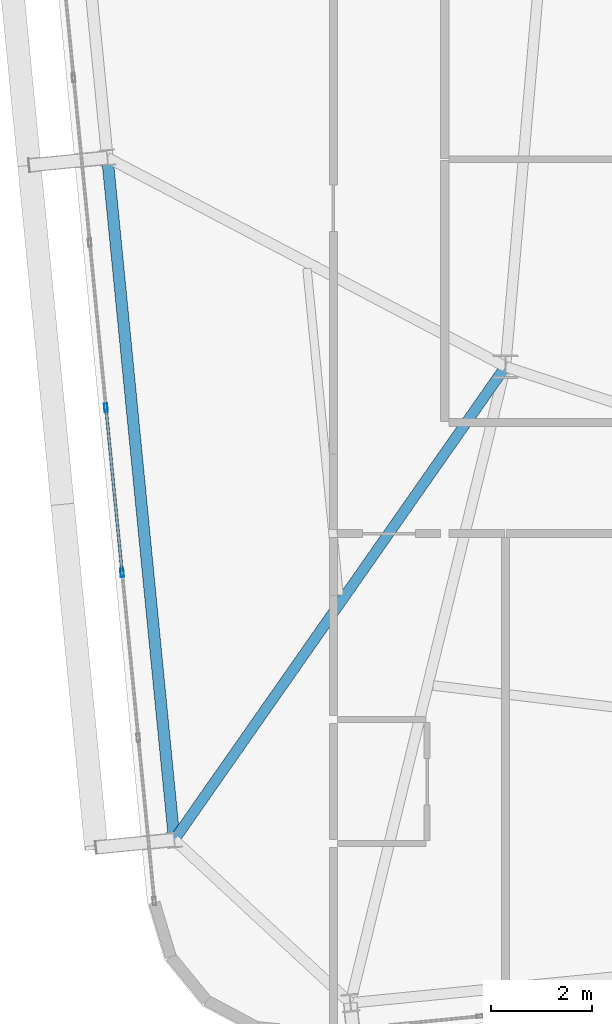
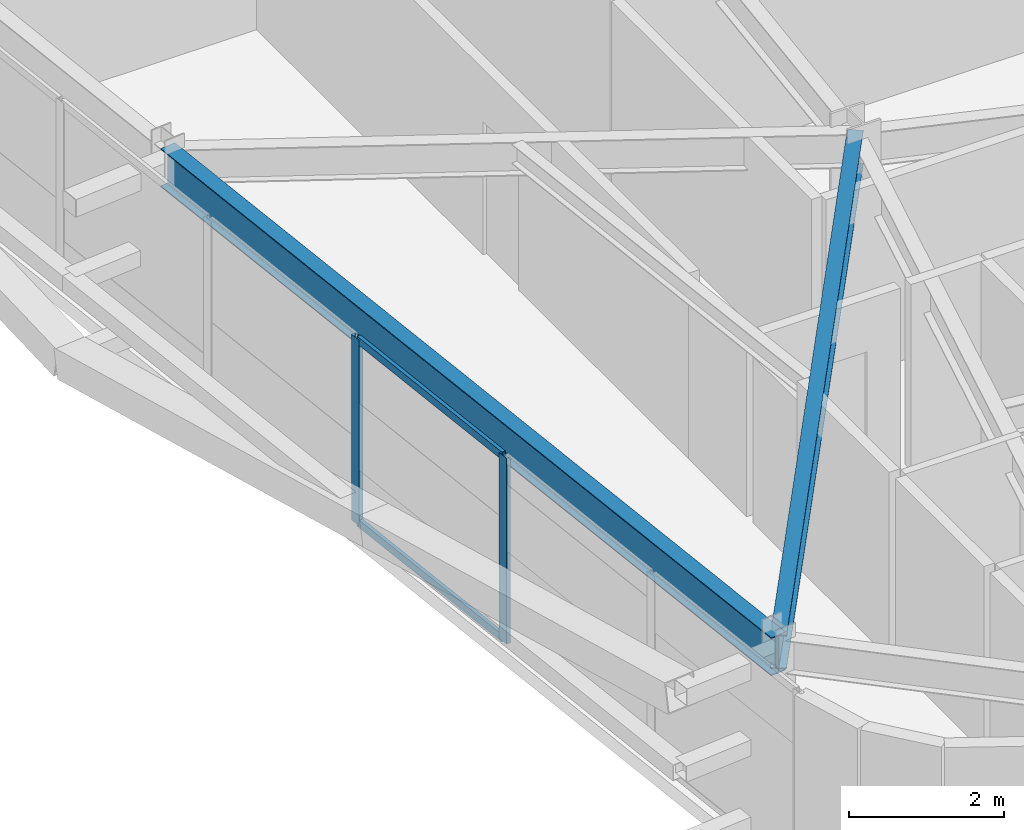
# One storey, part 8 of 52: 4 members, 2 beams, 1 element without a shape of its own.
"""IFC4 building model written with IfcOpenShell, lengths in metres."""

from ifc_helpers import new_model, si_unit, direction, frame, origin, origin_2d, place, context, subcontext, project, spatial, hollow_rectangle, i_section, extrude, source, transform, mapped, material, layer, layer_set, material_profile, profile_set, type_object, element, aggregate, save


model = new_model("IFC4")

# Units and contexts
model_context = context("Model", 3, precision=1e-05, world=origin(), true_north=direction((0.0, 1.0)))
body_context = subcontext(model_context, "Body", "Model", "MODEL_VIEW")
ifc_project = project(units=[si_unit("LENGTHUNIT", "METRE"), si_unit("AREAUNIT", "SQUARE_METRE"), si_unit("VOLUMEUNIT", "CUBIC_METRE"), si_unit("PLANEANGLEUNIT", "RADIAN"), si_unit("MASSUNIT", "GRAM", prefix="KILO")], contexts=[model_context])

# Site, building, storey
site_placement = place(None, origin())
site = spatial("IfcSite", under=ifc_project, at=site_placement, CompositionType="ELEMENT")
building_placement = place(site_placement, origin())
building = spatial("IfcBuilding", under=site, at=building_placement, Name="Taldren Reach Tower", CompositionType="ELEMENT")
storey_placement = place(building_placement, frame((0.0, 0.0, 77.699951171875)))
storey = spatial("IfcBuildingStorey", under=building, at=storey_placement, Name="L23", CompositionType="ELEMENT", Elevation=77.699951171875)

# Beams
ifc_material_1 = material(Name="Steel Gr 350 (350PLUS)", Category="steel")
ifc_material_profile_1 = material_profile(ifc_material_1, i_section(OverallWidth=0.22802734375, OverallDepth=0.60205078125, WebThickness=0.010498046875, FlangeThickness=0.014892578125, at=origin_2d()), Name="610UB101")
ifc_profile_set_1 = profile_set([ifc_material_profile_1], Name="Steel Gr 350 (350PLUS)")
beam_type_1 = type_object("IfcBeamType", Name="BM-UB610B", PredefinedType="BEAM", material=ifc_profile_set_1)
shared_shape_1 = source(origin(), body_context, "Body", "SweptSolid", [
    extrude(i_section(OverallWidth=0.22802734375, OverallDepth=0.60205078125, WebThickness=0.010498046875, FlangeThickness=0.014892578125, at=origin_2d()), origin(), (0.0, 0.0, 1.0), 13.550048828125),
])
beam_1_placement = place(storey_placement, frame((10.130615234375, 16.631103515625, 2.629150390625), z_axis=(0.097584021339, -0.995227290009, 0.0), x_axis=(0.995227290009, 0.097584021339, 0.0)))
element("IfcBeam", 1, at=beam_1_placement, inside=storey, type_object=beam_type_1, Name="Perimeter gable girder B2 W2-W1 L23", PredefinedType="BEAM", context=body_context, shape_type="MappedRepresentation", body=[
    mapped(shared_shape_1, transform((0.0, 0.0, 0.0), scale=1.0)),
])
ifc_material_profile_2 = material_profile(ifc_material_1, i_section(OverallWidth=0.208984375, OverallDepth=0.532958984375, WebThickness=0.01025390625, FlangeThickness=0.015625, at=origin_2d()), Name="530UB92.4")
ifc_profile_set_2 = profile_set([ifc_material_profile_2], Name="Steel Gr 350 (350PLUS)")
beam_type_2 = type_object("IfcBeamType", Name="BM-UB530A", PredefinedType="BEAM", material=ifc_profile_set_2)
shared_shape_2 = source(origin(), body_context, "Body", "SweptSolid", [
    extrude(i_section(OverallWidth=0.208984375, OverallDepth=0.532958984375, WebThickness=0.01025390625, FlangeThickness=0.015625, at=origin_2d()), origin(), (0.0, 0.0, 1.0), 11.417724609375),
])
beam_2_placement = place(storey_placement, frame((18.0, 12.5, 2.66357421875), z_axis=(-0.573412116146, -0.819267077977, 0.0), x_axis=(0.819267077977, -0.573412116146, 0.0)))
element("IfcBeam", 2, at=beam_2_placement, inside=storey, type_object=beam_type_2, Name="Primary floor girder B2-W1 L23", PredefinedType="BEAM", context=body_context, shape_type="MappedRepresentation", body=[
    mapped(shared_shape_2, transform((0.0, 0.0, 0.0), scale=1.0)),
])

# Curtain wall, members
ifc_material_2 = material(Name="Aluminium and Low-E Glass Unitised System", Category="aluminium")
ifc_layer = layer(ifc_material_2, 0.159912109375)
ifc_layer_set = layer_set([ifc_layer], Name="Aluminium and Low-E Glass Unitised System")
curtain_wall_type = type_object("IfcCurtainWallType", Name="CW-SYS-3", PredefinedType="NOTDEFINED", material=ifc_layer_set)
curtain_wall_placement = place(storey_placement, origin())
curtain_wall = element("IfcCurtainWall", 3, at=curtain_wall_placement, inside=storey, type_object=curtain_wall_type, Name="Unitised curtain wall CW-L23-W", PredefinedType="NOTDEFINED")
ifc_material_3 = material(Name="Anodised Aluminium 6063-T6", Category="aluminium")
ifc_material_profile_3 = material_profile(ifc_material_3, hollow_rectangle(XDim=0.06494140625, YDim=0.1650390625, WallThickness=0.00390625, at=origin_2d()), Name="ALU-165x65x4RHS")
ifc_profile_set_3 = profile_set([ifc_material_profile_3], Name="Anodised Aluminium 6063-T6")
member_type_1 = type_object("IfcMemberType", Name="CW-MUL-165", PredefinedType="MULLION", material=ifc_profile_set_3)
shared_shape_3 = source(origin(), body_context, "Body", "SweptSolid", [
    extrude(hollow_rectangle(XDim=0.06494140625, YDim=0.1650390625, WallThickness=0.00390625, at=origin_2d()), origin(), (0.0, 0.0, 1.0), 2.929931640625),
])
member_1_placement = place(storey_placement, frame((10.102783203125, 11.688232421875, 0.0), z_axis=(0.0, 0.0, 1.0), x_axis=(0.99522741555, 0.09758274098, 0.0)))
member_1 = element("IfcMember", 4, at=member_1_placement, type_object=member_type_1, Name="CW-3 mullion 7", PredefinedType="MULLION", context=body_context, shape_type="MappedRepresentation", body=[
    mapped(shared_shape_3, transform((0.0, 0.0, 0.0), scale=1.0)),
])
member_2_placement = place(storey_placement, frame((10.422607421875, 8.426025390625, 0.0), z_axis=(0.0, 0.0, 1.0), x_axis=(0.99522741555, 0.09758274098, 0.0)))
member_2 = element("IfcMember", 5, at=member_2_placement, type_object=member_type_1, Name="CW-3 mullion 8", PredefinedType="MULLION", context=body_context, shape_type="MappedRepresentation", body=[
    mapped(shared_shape_3, transform((0.0, 0.0, 0.0), scale=1.0)),
])
ifc_material_profile_4 = material_profile(ifc_material_3, hollow_rectangle(XDim=0.054931640625, YDim=0.1201171875, WallThickness=0.0029296875, at=origin_2d()), Name="ALU-120x55x3RHS")
ifc_profile_set_4 = profile_set([ifc_material_profile_4], Name="Anodised Aluminium 6063-T6")
member_type_2 = type_object("IfcMemberType", Name="CW-TRN-135", PredefinedType="USERDEFINED", material=ifc_profile_set_4)
shared_shape_4 = source(origin(), body_context, "Body", "SweptSolid", [
    extrude(hollow_rectangle(XDim=0.054931640625, YDim=0.1201171875, WallThickness=0.0029296875, at=origin_2d()), origin(), (0.0, 0.0, 1.0), 3.212890625),
])
member_3_placement = place(storey_placement, frame((10.10595703125, 11.65576171875, 0.027587890625), z_axis=(0.097569948235, -0.995228669805, 0.0), x_axis=(0.995228669805, 0.097569948235, 0.0)))
member_3 = element("IfcMember", 6, at=member_3_placement, type_object=member_type_2, Name="CW-3 transom 7.1", ObjectType="TRANSOM", PredefinedType="USERDEFINED", context=body_context, shape_type="MappedRepresentation", body=[
    mapped(shared_shape_4, transform((0.0, 0.0, 0.0), scale=1.0)),
])
member_4_placement = place(storey_placement, frame((10.10595703125, 11.65576171875, 2.902587890625), z_axis=(0.097569948235, -0.995228669805, 0.0), x_axis=(0.995228669805, 0.097569948235, 0.0)))
member_4 = element("IfcMember", 7, at=member_4_placement, type_object=member_type_2, Name="CW-3 transom 7.2", ObjectType="TRANSOM", PredefinedType="USERDEFINED", context=body_context, shape_type="MappedRepresentation", body=[
    mapped(shared_shape_4, transform((0.0, 0.0, 0.0), scale=1.0)),
])
aggregate(curtain_wall, [member_1, member_2, member_3, member_4])

save(model, "model.ifc")
